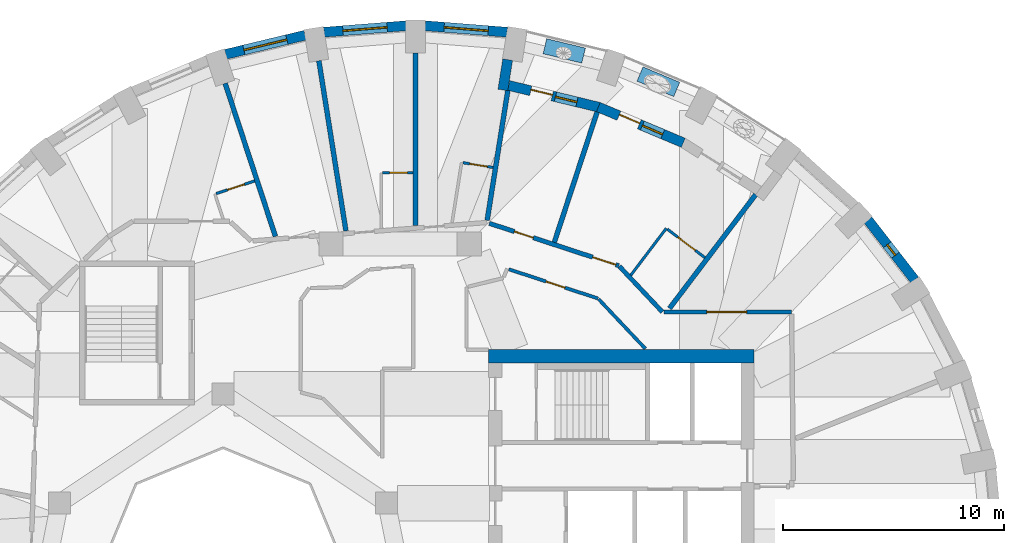
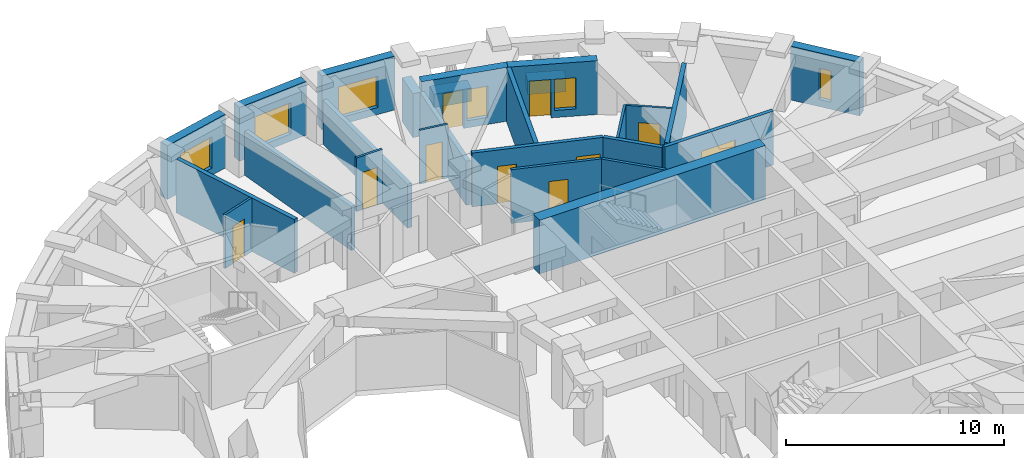
# One storey, part 8 of 12: 26 walls, 10 doors, 6 windows, 16 openings.
"""IFC4 building model written with IfcOpenShell, lengths in metres."""

from ifc_helpers import new_model, si_unit, direction, frame, frame_2d, origin, place, context, subcontext, project, spatial, rectangle, extrude, material, layer, layer_set, constituent, constituent_set, type_object, element, fill, save


model = new_model("IFC4")

# Units and contexts
model_context = context("Model", 3, precision=1e-05, world=origin(), true_north=direction((0.0, 1.0)))
body_context = subcontext(model_context, "Body", "Model", "MODEL_VIEW")
ifc_project = project(units=[si_unit("LENGTHUNIT", "METRE"), si_unit("AREAUNIT", "SQUARE_METRE"), si_unit("VOLUMEUNIT", "CUBIC_METRE"), si_unit("PLANEANGLEUNIT", "RADIAN"), si_unit("MASSUNIT", "GRAM", prefix="KILO")], contexts=[model_context])

# Site, building, storey
site_placement = place(None, origin())
site = spatial("IfcSite", under=ifc_project, at=site_placement, CompositionType="ELEMENT")
building_placement = place(site_placement, origin())
building = spatial("IfcBuilding", under=site, at=building_placement, Name="Taillehof Tower", CompositionType="ELEMENT")
storey_placement = place(building_placement, frame((0.0, 0.0, 192.5)))
storey = spatial("IfcBuildingStorey", under=building, at=storey_placement, Name="L54", CompositionType="ELEMENT", Elevation=192.5)

# Wall, opening, window
ifc_material_1 = material(Name="Brick masonry", Category="masonry")
ifc_layer_1 = layer(ifc_material_1, 0.449951171875)
ifc_layer_set_1 = layer_set([ifc_layer_1], Name="Brick infill wall 450")
wall_type_1 = type_object("IfcWallType", Name="Brick infill wall 450", PredefinedType="SOLIDWALL", material=ifc_layer_set_1)
wall_1_placement = place(storey_placement, frame((23.262939453125, 13.148193359375, 0.0), z_axis=(0.0, 0.0, 1.0), x_axis=(-0.614220816451, 0.789134201919, 0.0)))
wall_1 = element("IfcWall", 1, at=wall_1_placement, inside=storey, type_object=wall_type_1, Name="Brick wall L54 bay 4", PredefinedType="SOLIDWALL", context=body_context, shape_type="SweptSolid", body=[
    extrude(rectangle(XDim=3.437744140625, YDim=0.449951171875, at=frame_2d((1.71875, 0.0))), origin(), (0.0, 0.0, 1.0), 3.02001953125),
])
opening_1_placement = place(wall_1_placement, frame((1.4189453125, 0.0, 0.39990234375)))
opening_1 = element("IfcOpeningElement", 2, at=opening_1_placement, cuts=wall_1, Name="Opening W6", PredefinedType="OPENING", context=body_context, shape_type="SweptSolid", body=[
    extrude(rectangle(XDim=0.60009765625, YDim=1.75, at=frame_2d((0.300048828125, 0.875))), frame((0.0, 0.23486328125, 0.0), z_axis=(0.0, -1.0, 0.0), x_axis=(1.0, 0.0, 0.0)), (0.0, 0.0, 1.0), 0.469970703125),
])
ifc_material_2 = material(Name="Aluminium window frame with clear double glazing", Category="aluminium")
window_type_1 = type_object("IfcWindowType", Name="Slot window 600x1750", PartitioningType="SINGLE_PANEL", PredefinedType="WINDOW", material=ifc_material_2)
window_1_placement = place(opening_1_placement, origin())
window_1 = element("IfcWindow", 3, at=window_1_placement, inside=storey, type_object=window_type_1, Name="W6", OverallHeight=1.75, OverallWidth=0.60009765625, PartitioningType="SINGLE_PANEL", PredefinedType="WINDOW", context=body_context, shape_type="SweptSolid", body=[
    extrude(rectangle(XDim=0.60009765625, YDim=1.75, at=frame_2d((0.300048828125, 0.875))), frame((0.0, 0.034912109375, 0.0), z_axis=(0.0, -1.0, 0.0), x_axis=(1.0, 0.0, 0.0)), (0.0, 0.0, 1.0), 0.06005859375),
])
fill(opening_1, window_1)

wall_2_placement = place(storey_placement, frame((4.841064453125, 24.348388671875, 0.0), z_axis=(0.0, 0.0, 1.0), x_axis=(-0.996918697878, 0.078441760701, 0.0)))
wall_2 = element("IfcWall", 4, at=wall_2_placement, inside=storey, type_object=wall_type_1, Name="Brick wall L54 bay 9", PredefinedType="SOLIDWALL", context=body_context, shape_type="SweptSolid", body=[
    extrude(rectangle(XDim=3.722412109375, YDim=0.449951171875, at=frame_2d((1.861328125, 0.0))), origin(), (0.0, 0.0, 1.0), 3.02001953125),
])
opening_2_placement = place(wall_2_placement, frame((0.861328125, 0.0, 0.39990234375)))
opening_2 = element("IfcOpeningElement", 5, at=opening_2_placement, cuts=wall_2, Name="Opening W2", PredefinedType="OPENING", context=body_context, shape_type="SweptSolid", body=[
    extrude(rectangle(XDim=2.0, YDim=1.75, at=frame_2d((1.0, 0.875))), frame((0.0, 0.23486328125, 0.0), z_axis=(0.0, -1.0, 0.0), x_axis=(1.0, 0.0, 0.0)), (0.0, 0.0, 1.0), 0.469970703125),
])
ifc_material_3 = material(Name="Aluminium window frame with clear double glazing", Category="aluminium")
window_type_2 = type_object("IfcWindowType", Name="Deep-set window 2000x1750", PartitioningType="SINGLE_PANEL", PredefinedType="WINDOW", material=ifc_material_3)
window_2_placement = place(opening_2_placement, origin())
window_2 = element("IfcWindow", 6, at=window_2_placement, inside=storey, type_object=window_type_2, Name="W2", OverallHeight=1.75, OverallWidth=2.0, PartitioningType="SINGLE_PANEL", PredefinedType="WINDOW", context=body_context, shape_type="SweptSolid", body=[
    extrude(rectangle(XDim=2.0, YDim=1.75, at=frame_2d((1.0, 0.875))), frame((0.0, 0.034912109375, 0.0), z_axis=(0.0, -1.0, 0.0), x_axis=(1.0, 0.0, 0.0)), (0.0, 0.0, 1.0), 0.06005859375),
])
fill(opening_2, window_2)

wall_3_placement = place(storey_placement, frame((0.27001953125, 24.640380859375, 0.0), z_axis=(0.0, 0.0, 1.0), x_axis=(-0.996919101401, -0.078436632148, 0.0)))
wall_3 = element("IfcWall", 7, at=wall_3_placement, inside=storey, type_object=wall_type_1, Name="Brick wall L54 bay 10", PredefinedType="SOLIDWALL", context=body_context, shape_type="SweptSolid", body=[
    extrude(rectangle(XDim=3.72265625, YDim=0.449951171875, at=frame_2d((1.861328125, 0.0))), origin(), (0.0, 0.0, 1.0), 3.02001953125),
])
opening_3_placement = place(wall_3_placement, frame((0.861328125, 0.0, 0.39990234375)))
opening_3 = element("IfcOpeningElement", 8, at=opening_3_placement, cuts=wall_3, Name="Opening W2", PredefinedType="OPENING", context=body_context, shape_type="SweptSolid", body=[
    extrude(rectangle(XDim=2.0, YDim=1.75, at=frame_2d((1.0, 0.875))), frame((0.0, 0.23486328125, 0.0), z_axis=(0.0, -1.0, 0.0), x_axis=(1.0, 0.0, 0.0)), (0.0, 0.0, 1.0), 0.469970703125),
])
window_3_placement = place(opening_3_placement, origin())
window_3 = element("IfcWindow", 9, at=window_3_placement, inside=storey, type_object=window_type_2, Name="W2", OverallHeight=1.75, OverallWidth=2.0, PartitioningType="SINGLE_PANEL", PredefinedType="WINDOW", context=body_context, shape_type="SweptSolid", body=[
    extrude(rectangle(XDim=2.0, YDim=1.75, at=frame_2d((1.0, 0.875))), frame((0.0, 0.034912109375, 0.0), z_axis=(0.0, -1.0, 0.0), x_axis=(1.0, 0.0, 0.0)), (0.0, 0.0, 1.0), 0.06005859375),
])
fill(opening_3, window_3)

wall_4_placement = place(storey_placement, frame((-4.29052734375, 24.21337890625, 0.0), z_axis=(0.0, 0.0, 1.0), x_axis=(-0.972173533246, -0.234261864708, 0.0)))
wall_4 = element("IfcWall", 10, at=wall_4_placement, inside=storey, type_object=wall_type_1, Name="Brick wall L54 bay 11", PredefinedType="SOLIDWALL", context=body_context, shape_type="SweptSolid", body=[
    extrude(rectangle(XDim=3.697509765625, YDim=0.449951171875, at=frame_2d((1.8486328125, 0.0))), origin(), (0.0, 0.0, 1.0), 3.02001953125),
])
opening_4_placement = place(wall_4_placement, frame((0.848876953125, 0.0, 0.39990234375)))
opening_4 = element("IfcOpeningElement", 11, at=opening_4_placement, cuts=wall_4, Name="Opening W2", PredefinedType="OPENING", context=body_context, shape_type="SweptSolid", body=[
    extrude(rectangle(XDim=2.0, YDim=1.75, at=frame_2d((1.0, 0.875))), frame((0.0, 0.23486328125, 0.0), z_axis=(0.0, -1.0, 0.0), x_axis=(1.0, 0.0, 0.0)), (0.0, 0.0, 1.0), 0.469970703125),
])
window_4_placement = place(opening_4_placement, origin())
window_4 = element("IfcWindow", 12, at=window_4_placement, inside=storey, type_object=window_type_2, Name="W2", OverallHeight=1.75, OverallWidth=2.0, PartitioningType="SINGLE_PANEL", PredefinedType="WINDOW", context=body_context, shape_type="SweptSolid", body=[
    extrude(rectangle(XDim=2.0, YDim=1.75, at=frame_2d((1.0, 0.875))), frame((0.0, 0.034912109375, 0.0), z_axis=(0.0, -1.0, 0.0), x_axis=(1.0, 0.0, 0.0)), (0.0, 0.0, 1.0), 0.06005859375),
])
fill(opening_4, window_4)

# Wall
wall_5_placement = place(storey_placement, frame((4.8642578125, 23.109130859375, 0.0), z_axis=(0.0, 0.0, 1.0), x_axis=(-0.157017718735, -0.987595785736, 0.0)))
element("IfcWall", 13, at=wall_5_placement, inside=storey, type_object=wall_type_1, Name="Brick reveal L54 pocket 1", PredefinedType="SOLIDWALL", context=body_context, shape_type="SweptSolid", body=[
    extrude(rectangle(XDim=1.39013671875, YDim=0.449951171875, at=frame_2d((0.695068359375, 0.0))), origin(), (0.0, 0.0, 1.0), 2.469970703125),
])

# Wall, openings, door, window
wall_6_placement = place(storey_placement, frame((12.803955078125, 19.3486328125, 0.0), z_axis=(0.0, 0.0, 1.0), x_axis=(-0.921751093055, 0.387782055351, 0.0)))
wall_6 = element("IfcWall", 14, at=wall_6_placement, inside=storey, type_object=wall_type_1, Name="Brick wall L54 pocket bay 7", PredefinedType="SOLIDWALL", context=body_context, shape_type="SweptSolid", body=[
    extrude(rectangle(XDim=4.16845703125, YDim=0.449951171875, at=frame_2d((2.084228515625, 0.0))), origin(), (0.0, 0.0, 1.0), 3.02001953125),
])
opening_5_placement = place(wall_6_placement, frame((1.00927734375, 0.0, 0.39990234375)))
opening_5 = element("IfcOpeningElement", 15, at=opening_5_placement, cuts=wall_6, Name="Opening W5", PredefinedType="OPENING", context=body_context, shape_type="SweptSolid", body=[
    extrude(rectangle(XDim=1.0, YDim=1.75, at=frame_2d((0.5, 0.875))), frame((0.0, 0.23486328125, 0.0), z_axis=(0.0, -1.0, 0.0), x_axis=(1.0, 0.0, 0.0)), (0.0, 0.0, 1.0), 0.469970703125),
])
opening_6_placement = place(wall_6_placement, frame((2.1591796875, 0.0, 0.0)))
opening_6 = element("IfcOpeningElement", 16, at=opening_6_placement, cuts=wall_6, Name="Opening D5492", PredefinedType="OPENING", context=body_context, shape_type="SweptSolid", body=[
    extrude(rectangle(XDim=1.0, YDim=2.14990234375, at=frame_2d((0.5, 1.074951171875))), frame((0.0, 0.23486328125, 0.0), z_axis=(0.0, -1.0, 0.0), x_axis=(1.0, 0.0, 0.0)), (0.0, 0.0, 1.0), 0.469970703125),
])
ifc_material_4 = material(Name="Aluminium door frame with clear double glazing", Category="aluminium")
door_type_1 = type_object("IfcDoorType", Name="Balcony door 1000x2150", OperationType="SINGLE_SWING_RIGHT", PredefinedType="DOOR", material=ifc_material_4)
door_1_placement = place(opening_6_placement, frame((1.0, 0.0, 0.0), z_axis=(0.0, 0.0, 1.0), x_axis=(-1.0, 0.0, 0.0)))
door_1 = element("IfcDoor", 17, at=door_1_placement, inside=storey, type_object=door_type_1, Name="Balcony door L54 bay 7", OperationType="SINGLE_SWING_LEFT", OverallHeight=2.14990234375, OverallWidth=1.0, PredefinedType="DOOR", context=body_context, shape_type="SweptSolid", body=[
    extrude(rectangle(XDim=1.0, YDim=2.14990234375, at=frame_2d((0.5, 1.074951171875))), frame((0.0, 0.0751953125, 0.0), z_axis=(0.0, -1.0, 0.0), x_axis=(1.0, 0.0, 0.0)), (0.0, 0.0, 1.0), 0.050048828125),
])
fill(opening_6, door_1)
ifc_material_5 = material(Name="Aluminium window frame with clear double glazing", Category="aluminium")
window_type_3 = type_object("IfcWindowType", Name="Fixed window 1000x1750", PartitioningType="SINGLE_PANEL", PredefinedType="WINDOW", material=ifc_material_5)
window_5_placement = place(opening_5_placement, origin())
window_5 = element("IfcWindow", 18, at=window_5_placement, inside=storey, type_object=window_type_3, Name="W5", OverallHeight=1.75, OverallWidth=1.0, PartitioningType="SINGLE_PANEL", PredefinedType="WINDOW", context=body_context, shape_type="SweptSolid", body=[
    extrude(rectangle(XDim=1.0, YDim=1.75, at=frame_2d((0.5, 0.875))), frame((0.0, 0.034912109375, 0.0), z_axis=(0.0, -1.0, 0.0), x_axis=(1.0, 0.0, 0.0)), (0.0, 0.0, 1.0), 0.06005859375),
])
fill(opening_5, window_5)

wall_7_placement = place(storey_placement, frame((8.99609375, 20.95361328125, 0.0), z_axis=(0.0, 0.0, 1.0), x_axis=(-0.971994057868, 0.235005428593, 0.0)))
wall_7 = element("IfcWall", 19, at=wall_7_placement, inside=storey, type_object=wall_type_1, Name="Brick wall L54 pocket bay 8", PredefinedType="SOLIDWALL", context=body_context, shape_type="SweptSolid", body=[
    extrude(rectangle(XDim=4.20751953125, YDim=0.449951171875, at=frame_2d((2.103759765625, 0.0))), origin(), (0.0, 0.0, 1.0), 3.02001953125),
])
opening_7_placement = place(wall_7_placement, frame((1.028564453125, 0.0, 0.39990234375)))
opening_7 = element("IfcOpeningElement", 20, at=opening_7_placement, cuts=wall_7, Name="Opening W5", PredefinedType="OPENING", context=body_context, shape_type="SweptSolid", body=[
    extrude(rectangle(XDim=1.0, YDim=1.75, at=frame_2d((0.5, 0.875))), frame((0.0, 0.23486328125, 0.0), z_axis=(0.0, -1.0, 0.0), x_axis=(1.0, 0.0, 0.0)), (0.0, 0.0, 1.0), 0.469970703125),
])
opening_8_placement = place(wall_7_placement, frame((2.1787109375, 0.0, 0.0)))
opening_8 = element("IfcOpeningElement", 21, at=opening_8_placement, cuts=wall_7, Name="Opening D5493", PredefinedType="OPENING", context=body_context, shape_type="SweptSolid", body=[
    extrude(rectangle(XDim=1.0, YDim=2.14990234375, at=frame_2d((0.5, 1.074951171875))), frame((0.0, 0.23486328125, 0.0), z_axis=(0.0, -1.0, 0.0), x_axis=(1.0, 0.0, 0.0)), (0.0, 0.0, 1.0), 0.469970703125),
])
door_2_placement = place(opening_8_placement, frame((1.0, 0.0, 0.0), z_axis=(0.0, 0.0, 1.0), x_axis=(-1.0, 0.0, 0.0)))
door_2 = element("IfcDoor", 22, at=door_2_placement, inside=storey, type_object=door_type_1, Name="Balcony door L54 bay 8", OperationType="SINGLE_SWING_LEFT", OverallHeight=2.14990234375, OverallWidth=1.0, PredefinedType="DOOR", context=body_context, shape_type="SweptSolid", body=[
    extrude(rectangle(XDim=1.0, YDim=2.14990234375, at=frame_2d((0.5, 1.074951171875))), frame((0.0, 0.0751953125, 0.0), z_axis=(0.0, -1.0, 0.0), x_axis=(1.0, 0.0, 0.0)), (0.0, 0.0, 1.0), 0.050048828125),
])
fill(opening_8, door_2)
window_6_placement = place(opening_7_placement, origin())
window_6 = element("IfcWindow", 23, at=window_6_placement, inside=storey, type_object=window_type_3, Name="W5", OverallHeight=1.75, OverallWidth=1.0, PartitioningType="SINGLE_PANEL", PredefinedType="WINDOW", context=body_context, shape_type="SweptSolid", body=[
    extrude(rectangle(XDim=1.0, YDim=1.75, at=frame_2d((0.5, 0.875))), frame((0.0, 0.034912109375, 0.0), z_axis=(0.0, -1.0, 0.0), x_axis=(1.0, 0.0, 0.0)), (0.0, 0.0, 1.0), 0.06005859375),
])
fill(opening_7, window_6)

# Wall, openings, doors
ifc_material_6 = material(Name="Gypsum board on steel studs, two layers each side", Category="steel")
ifc_layer_2 = layer(ifc_material_6, 0.199951171875)
ifc_layer_set_2 = layer_set([ifc_layer_2], Name="Compartment wall corridor 200")
wall_type_2 = type_object("IfcWallType", Name="Compartment wall corridor 200", PredefinedType="PARTITIONING", material=ifc_layer_set_2)
wall_8_placement = place(storey_placement, frame((4.034912109375, 15.708251953125, 0.0), z_axis=(0.0, 0.0, 1.0), x_axis=(0.950331063317, -0.31124085544, 0.0)))
wall_8 = element("IfcWall", 24, at=wall_8_placement, inside=storey, type_object=wall_type_2, Name="Compartment wall", PredefinedType="PARTITIONING", context=body_context, shape_type="SweptSolid", body=[
    extrude(rectangle(XDim=6.1591796875, YDim=0.199951171875, at=frame_2d((3.07958984375, 0.0))), origin(), (0.0, 0.0, 1.0), 3.02001953125),
])
opening_9_placement = place(wall_8_placement, frame((4.919189453125, 0.0, 0.0)))
opening_9 = element("IfcOpeningElement", 25, at=opening_9_placement, cuts=wall_8, Name="Opening D5440", PredefinedType="OPENING", context=body_context, shape_type="SweptSolid", body=[
    extrude(rectangle(XDim=1.10009765625, YDim=2.10009765625, at=frame_2d((0.550048828125, 1.050048828125))), frame((0.0, 0.10986328125, 0.0), z_axis=(0.0, -1.0, 0.0), x_axis=(1.0, 0.0, 0.0)), (0.0, 0.0, 1.0), 0.219970703125),
])
opening_10_placement = place(wall_8_placement, frame((1.189453125, 0.0, 0.0)))
opening_10 = element("IfcOpeningElement", 26, at=opening_10_placement, cuts=wall_8, Name="Opening D5442", PredefinedType="OPENING", context=body_context, shape_type="SweptSolid", body=[
    extrude(rectangle(XDim=0.89990234375, YDim=2.10009765625, at=frame_2d((0.449951171875, 1.050048828125))), frame((0.0, 0.10986328125, 0.0), z_axis=(0.0, -1.0, 0.0), x_axis=(1.0, 0.0, 0.0)), (0.0, 0.0, 1.0), 0.219970703125),
])
ifc_material_7 = material(Name="Timber door leaf in steel frame", Category="steel")
door_type_2 = type_object("IfcDoorType", Name="Accessible guest room door EI 30 1100 x 2100", OperationType="SINGLE_SWING_LEFT", PredefinedType="DOOR", material=ifc_material_7)
door_3_placement = place(opening_9_placement, origin())
door_3 = element("IfcDoor", 27, at=door_3_placement, inside=storey, type_object=door_type_2, Name="D5440", OperationType="SINGLE_SWING_LEFT", OverallHeight=2.10009765625, OverallWidth=1.10009765625, PredefinedType="DOOR", context=body_context, shape_type="SweptSolid", body=[
    extrude(rectangle(XDim=1.10009765625, YDim=2.10009765625, at=frame_2d((0.550048828125, 1.050048828125))), frame((0.0, 0.02490234375, 0.0), z_axis=(0.0, -1.0, 0.0), x_axis=(1.0, 0.0, 0.0)), (0.0, 0.0, 1.0), 0.050048828125),
])
fill(opening_9, door_3)
ifc_material_8 = material(Name="Timber door leaf in steel frame", Category="steel")
door_type_3 = type_object("IfcDoorType", Name="Service room door EI 30 900 x 2100", OperationType="SINGLE_SWING_LEFT", PredefinedType="DOOR", material=ifc_material_8)
door_4_placement = place(opening_10_placement, origin())
door_4 = element("IfcDoor", 28, at=door_4_placement, inside=storey, type_object=door_type_3, Name="D5442", OperationType="SINGLE_SWING_RIGHT", OverallHeight=2.10009765625, OverallWidth=0.89990234375, PredefinedType="DOOR", context=body_context, shape_type="SweptSolid", body=[
    extrude(rectangle(XDim=0.89990234375, YDim=2.10009765625, at=frame_2d((0.449951171875, 1.050048828125))), frame((0.0, 0.02490234375, 0.0), z_axis=(0.0, -1.0, 0.0), x_axis=(1.0, 0.0, 0.0)), (0.0, 0.0, 1.0), 0.050048828125),
])
fill(opening_10, door_4)

# Wall
wall_9_placement = place(storey_placement, frame((9.91552734375, 13.761962890625, 0.0), z_axis=(0.0, 0.0, 1.0), x_axis=(0.686041532799, -0.727562378958, 0.0)))
element("IfcWall", 29, at=wall_9_placement, inside=storey, type_object=wall_type_2, Name="Compartment wall", PredefinedType="PARTITIONING", context=body_context, shape_type="SweptSolid", body=[
    extrude(rectangle(XDim=2.834228515625, YDim=0.199951171875, at=frame_2d((1.4169921875, 0.0))), origin(), (0.0, 0.0, 1.0), 3.02001953125),
])

# Wall, opening, door
wall_10_placement = place(storey_placement, frame((11.93994140625, 11.699951171875, 0.0), z_axis=(0.0, 0.0, 1.0), x_axis=(1.0, 0.0, 0.0)))
wall_10 = element("IfcWall", 30, at=wall_10_placement, inside=storey, type_object=wall_type_2, Name="Compartment wall", PredefinedType="PARTITIONING", context=body_context, shape_type="SweptSolid", body=[
    extrude(rectangle(XDim=5.760009765625, YDim=0.199951171875, at=frame_2d((2.8798828125, 0.0))), origin(), (0.0, 0.0, 1.0), 3.02001953125),
])
opening_11_placement = place(wall_10_placement, frame((1.926513671875, 0.0, 0.0)))
opening_11 = element("IfcOpeningElement", 31, at=opening_11_placement, cuts=wall_10, Name="Opening D5470", PredefinedType="OPENING", context=body_context, shape_type="SweptSolid", body=[
    extrude(rectangle(XDim=1.800048828125, YDim=2.10009765625, at=frame_2d((0.89990234375, 1.050048828125))), frame((0.0, 0.10986328125, 0.0), z_axis=(0.0, -1.0, 0.0), x_axis=(1.0, 0.0, 0.0)), (0.0, 0.0, 1.0), 0.219970703125),
])
ifc_material_9 = material(Name="Timber door leaf in steel frame", Category="steel")
door_type_4 = type_object("IfcDoorType", Name="Lounge and meeting room double door EI 30 1800 x 2100", OperationType="SINGLE_SWING_LEFT", PredefinedType="DOOR", material=ifc_material_9)
door_5_placement = place(opening_11_placement, origin())
door_5 = element("IfcDoor", 32, at=door_5_placement, inside=storey, type_object=door_type_4, Name="D5470", OperationType="DOUBLE_DOOR_SINGLE_SWING", OverallHeight=2.10009765625, OverallWidth=1.800048828125, PredefinedType="DOOR", context=body_context, shape_type="SweptSolid", body=[
    extrude(rectangle(XDim=1.800048828125, YDim=2.10009765625, at=frame_2d((0.89990234375, 1.050048828125))), frame((0.0, 0.02490234375, 0.0), z_axis=(0.0, -1.0, 0.0), x_axis=(1.0, 0.0, 0.0)), (0.0, 0.0, 1.0), 0.050048828125),
])
fill(opening_11, door_5)

# Walls
ifc_material_10 = material(Name="Gypsum board on double steel studs with mineral wool", Category="steel")
ifc_layer_3 = layer(ifc_material_10, 0.219970703125)
ifc_layer_set_3 = layer_set([ifc_layer_3], Name="Compartment wall guest room 220")
wall_type_3 = type_object("IfcWallType", Name="Compartment wall guest room 220", PredefinedType="PARTITIONING", material=ifc_layer_set_3)
wall_11_placement = place(storey_placement, frame((16.076904296875, 17.011474609375, 0.0), z_axis=(0.0, 0.0, 1.0), x_axis=(-0.603635635975, -0.797260320712, 0.0)))
element("IfcWall", 33, at=wall_11_placement, inside=storey, type_object=wall_type_3, Name="Compartment wall", PredefinedType="PARTITIONING", context=body_context, shape_type="SweptSolid", body=[
    extrude(rectangle(XDim=6.45703125, YDim=0.219970703125, at=frame_2d((3.228515625, 0.0))), origin(), (0.0, 0.0, 1.0), 3.02001953125),
])
wall_12_placement = place(storey_placement, frame((8.907958984375, 20.743408203125, 0.0), z_axis=(0.0, 0.0, 1.0), x_axis=(-0.311984764468, -0.950087104817, 0.0)))
element("IfcWall", 34, at=wall_12_placement, inside=storey, type_object=wall_type_3, Name="Compartment wall", PredefinedType="PARTITIONING", context=body_context, shape_type="SweptSolid", body=[
    extrude(rectangle(XDim=6.20166015625, YDim=0.219970703125, at=frame_2d((3.100830078125, 0.0))), origin(), (0.0, 0.0, 1.0), 3.02001953125),
])
wall_13_placement = place(storey_placement, frame((4.87109375, 21.719482421875, 0.0), z_axis=(0.0, 0.0, 1.0), x_axis=(-0.157106861106, -0.987581608878, 0.0)))
element("IfcWall", 35, at=wall_13_placement, inside=storey, type_object=wall_type_3, Name="Compartment wall", PredefinedType="PARTITIONING", context=body_context, shape_type="SweptSolid", body=[
    extrude(rectangle(XDim=5.94873046875, YDim=0.219970703125, at=frame_2d((2.974365234375, 0.0))), origin(), (0.0, 0.0, 1.0), 2.469970703125),
])
wall_14_placement = place(storey_placement, frame((0.699951171875, 23.39990234375, 0.0), z_axis=(0.0, 0.0, 1.0), x_axis=(0.0, -1.0, 0.0)))
element("IfcWall", 36, at=wall_14_placement, inside=storey, type_object=wall_type_3, Name="Compartment wall", PredefinedType="PARTITIONING", context=body_context, shape_type="SweptSolid", body=[
    extrude(rectangle(XDim=7.78662109375, YDim=0.219970703125, at=frame_2d((3.893310546875, 0.0))), origin(), (0.0, 0.0, 1.0), 2.469970703125),
])
wall_15_placement = place(storey_placement, frame((-3.6708984375, 23.05615234375, 0.0), z_axis=(0.0, 0.0, 1.0), x_axis=(0.157087942897, -0.987584618246, 0.0)))
element("IfcWall", 37, at=wall_15_placement, inside=storey, type_object=wall_type_3, Name="Compartment wall", PredefinedType="PARTITIONING", context=body_context, shape_type="SweptSolid", body=[
    extrude(rectangle(XDim=7.786376953125, YDim=0.219970703125, at=frame_2d((3.89306640625, 0.0))), origin(), (0.0, 0.0, 1.0), 2.469970703125),
])
wall_16_placement = place(storey_placement, frame((-7.9072265625, 22.035400390625, 0.0), z_axis=(0.0, 0.0, 1.0), x_axis=(0.311980831408, -0.950088396326, 0.0)))
element("IfcWall", 38, at=wall_16_placement, inside=storey, type_object=wall_type_3, Name="Compartment wall", PredefinedType="PARTITIONING", context=body_context, shape_type="SweptSolid", body=[
    extrude(rectangle(XDim=7.283203125, YDim=0.219970703125, at=frame_2d((3.6416015625, 0.0))), origin(), (0.0, 0.0, 1.0), 3.02001953125),
])

# Wall, opening, door
ifc_material_11 = material(Name="Gypsum board on steel studs, two layers each side", Category="steel")
ifc_layer_4 = layer(ifc_material_11, 0.14990234375)
ifc_layer_set_4 = layer_set([ifc_layer_4], Name="Compartment wall service room 150")
wall_type_4 = type_object("IfcWallType", Name="Compartment wall service room 150", PredefinedType="PARTITIONING", material=ifc_layer_set_4)
wall_17_placement = place(storey_placement, frame((4.917236328125, 13.631103515625, 0.0), z_axis=(0.0, 0.0, 1.0), x_axis=(0.950299632499, -0.311336808733, 0.0)))
wall_17 = element("IfcWall", 39, at=wall_17_placement, inside=storey, type_object=wall_type_4, Name="Compartment wall", PredefinedType="PARTITIONING", context=body_context, shape_type="SweptSolid", body=[
    extrude(rectangle(XDim=4.241455078125, YDim=0.14990234375, at=frame_2d((2.12060546875, 0.0))), origin(), (0.0, 0.0, 1.0), 3.02001953125),
])
opening_12_placement = place(wall_17_placement, frame((1.77294921875, 0.0, 0.0)))
opening_12 = element("IfcOpeningElement", 40, at=opening_12_placement, cuts=wall_17, Name="Opening D5471", PredefinedType="OPENING", context=body_context, shape_type="SweptSolid", body=[
    extrude(rectangle(XDim=0.89990234375, YDim=2.10009765625, at=frame_2d((0.449951171875, 1.050048828125))), frame((0.0, 0.0849609375, 0.0), z_axis=(0.0, -1.0, 0.0), x_axis=(1.0, 0.0, 0.0)), (0.0, 0.0, 1.0), 0.169921875),
])
door_6_placement = place(opening_12_placement, origin())
door_6 = element("IfcDoor", 41, at=door_6_placement, inside=storey, type_object=door_type_3, Name="D5471", OperationType="SINGLE_SWING_LEFT", OverallHeight=2.10009765625, OverallWidth=0.89990234375, PredefinedType="DOOR", context=body_context, shape_type="SweptSolid", body=[
    extrude(rectangle(XDim=0.89990234375, YDim=2.10009765625, at=frame_2d((0.449951171875, 1.050048828125))), frame((0.0, 0.02490234375, 0.0), z_axis=(0.0, -1.0, 0.0), x_axis=(1.0, 0.0, 0.0)), (0.0, 0.0, 1.0), 0.050048828125),
])
fill(opening_12, door_6)

# Walls
wall_18_placement = place(storey_placement, frame((8.975341796875, 12.28125, 0.0), z_axis=(0.0, 0.0, 1.0), x_axis=(0.686010468192, -0.727591669503, 0.0)))
element("IfcWall", 42, at=wall_18_placement, inside=storey, type_object=wall_type_4, Name="Compartment wall", PredefinedType="PARTITIONING", context=body_context, shape_type="SweptSolid", body=[
    extrude(rectangle(XDim=3.07666015625, YDim=0.14990234375, at=frame_2d((1.538330078125, 0.0))), origin(), (0.0, 0.0, 1.0), 3.02001953125),
])
ifc_material_12 = material(Name="Concrete C80/95", Category="concrete")
ifc_layer_5 = layer(ifc_material_12, 0.60009765625)
ifc_layer_set_5 = layer_set([ifc_layer_5], Name="Core wall C80/95 600")
wall_type_5 = type_object("IfcWallType", Name="Core wall C80/95 600", PredefinedType="SHEAR", material=ifc_layer_set_5)
wall_19_placement = place(storey_placement, frame((4.0, 9.699951171875, 0.0), z_axis=(0.0, 0.0, 1.0), x_axis=(1.0, 0.0, 0.0)))
element("IfcWall", 43, at=wall_19_placement, inside=storey, type_object=wall_type_5, Name="Core wall CW06", PredefinedType="SHEAR", context=body_context, shape_type="SweptSolid", body=[
    extrude(rectangle(XDim=12.0, YDim=0.60009765625, at=frame_2d((6.0, 0.0))), origin(), (0.0, 0.0, 1.0), 3.02001953125),
])
ifc_material_13 = material(Name="Gypsum board on steel studs, moisture resistant", Category="steel")
ifc_layer_6 = layer(ifc_material_13, 0.1201171875)
ifc_layer_set_6 = layer_set([ifc_layer_6], Name="En-suite wall 120")
wall_type_6 = type_object("IfcWallType", Name="En-suite wall 120", PredefinedType="PARTITIONING", material=ifc_layer_set_6)
wall_20_placement = place(storey_placement, frame((10.4296875, 13.36279296875, 0.0), z_axis=(0.0, 0.0, 1.0), x_axis=(0.603597479969, 0.797289208616, 0.0)))
element("IfcWall", 44, at=wall_20_placement, inside=storey, type_object=wall_type_6, Name="En-suite wall", PredefinedType="PARTITIONING", context=body_context, shape_type="SweptSolid", body=[
    extrude(rectangle(XDim=2.65576171875, YDim=0.1201171875, at=frame_2d((1.327880859375, 0.0))), origin(), (0.0, 0.0, 1.0), 3.02001953125),
])

# Wall, opening, door
wall_21_placement = place(storey_placement, frame((12.08056640625, 15.444091796875, 0.0), z_axis=(0.0, 0.0, 1.0), x_axis=(0.797240905551, -0.603661277967, 0.0)))
wall_21 = element("IfcWall", 45, at=wall_21_placement, inside=storey, type_object=wall_type_6, Name="En-suite wall", PredefinedType="PARTITIONING", context=body_context, shape_type="SweptSolid", body=[
    extrude(rectangle(XDim=2.130126953125, YDim=0.1201171875, at=frame_2d((1.06494140625, 0.0))), origin(), (0.0, 0.0, 1.0), 3.02001953125),
])
opening_13_placement = place(wall_21_placement, frame((0.590087890625, 0.0, 0.0)))
opening_13 = element("IfcOpeningElement", 46, at=opening_13_placement, cuts=wall_21, Name="Opening D5441", PredefinedType="OPENING", context=body_context, shape_type="SweptSolid", body=[
    extrude(rectangle(XDim=1.0, YDim=2.10009765625, at=frame_2d((0.5, 1.050048828125))), frame((0.0, 0.070068359375, 0.0), z_axis=(0.0, -1.0, 0.0), x_axis=(1.0, 0.0, 0.0)), (0.0, 0.0, 1.0), 0.14013671875),
])
ifc_material_14 = material(Name="Timber door leaf in steel frame", Category="steel")
door_type_5 = type_object("IfcDoorType", Name="Accessible en-suite door 1000 x 2100", OperationType="SINGLE_SWING_LEFT", PredefinedType="DOOR", material=ifc_material_14)
door_7_placement = place(opening_13_placement, origin())
door_7 = element("IfcDoor", 47, at=door_7_placement, inside=storey, type_object=door_type_5, Name="D5441", OperationType="SINGLE_SWING_RIGHT", OverallHeight=2.10009765625, OverallWidth=1.0, PredefinedType="DOOR", context=body_context, shape_type="SweptSolid", body=[
    extrude(rectangle(XDim=1.0, YDim=2.10009765625, at=frame_2d((0.5, 1.050048828125))), frame((0.0, 0.02490234375, 0.0), z_axis=(0.0, -1.0, 0.0), x_axis=(1.0, 0.0, 0.0)), (0.0, 0.0, 1.0), 0.050048828125),
])
fill(opening_13, door_7)

wall_22_placement = place(storey_placement, frame((2.842041015625, 18.448974609375, 0.0), z_axis=(0.0, 0.0, 1.0), x_axis=(0.98758155412, -0.157107205313, 0.0)))
wall_22 = element("IfcWall", 48, at=wall_22_placement, inside=storey, type_object=wall_type_6, Name="En-suite wall", PredefinedType="PARTITIONING", context=body_context, shape_type="SweptSolid", body=[
    extrude(rectangle(XDim=1.3798828125, YDim=0.1201171875, at=frame_2d((0.68994140625, 0.0))), origin(), (0.0, 0.0, 1.0), 3.02001953125),
])
opening_14_placement = place(wall_22_placement, frame((0.31494140625, 0.0, 0.0)))
opening_14 = element("IfcOpeningElement", 49, at=opening_14_placement, cuts=wall_22, Name="Opening D5444", PredefinedType="OPENING", context=body_context, shape_type="SweptSolid", body=[
    extrude(rectangle(XDim=0.800048828125, YDim=2.10009765625, at=frame_2d((0.39990234375, 1.050048828125))), frame((0.0, 0.070068359375, 0.0), z_axis=(0.0, -1.0, 0.0), x_axis=(1.0, 0.0, 0.0)), (0.0, 0.0, 1.0), 0.14013671875),
])
ifc_material_15 = material(Name="Timber door leaf in steel frame", Category="steel")
door_type_6 = type_object("IfcDoorType", Name="En-suite door 800 x 2100", OperationType="SINGLE_SWING_LEFT", PredefinedType="DOOR", material=ifc_material_15)
door_8_placement = place(opening_14_placement, origin())
door_8 = element("IfcDoor", 50, at=door_8_placement, inside=storey, type_object=door_type_6, Name="D5444", OperationType="SINGLE_SWING_LEFT", OverallHeight=2.10009765625, OverallWidth=0.800048828125, PredefinedType="DOOR", context=body_context, shape_type="SweptSolid", body=[
    extrude(rectangle(XDim=0.800048828125, YDim=2.10009765625, at=frame_2d((0.39990234375, 1.050048828125))), frame((0.0, 0.02490234375, 0.0), z_axis=(0.0, -1.0, 0.0), x_axis=(1.0, 0.0, 0.0)), (0.0, 0.0, 1.0), 0.050048828125),
])
fill(opening_14, door_8)

wall_23_placement = place(storey_placement, frame((-0.7900390625, 17.9931640625, 0.0), z_axis=(0.0, 0.0, 1.0), x_axis=(1.0, 0.0, 0.0)))
wall_23 = element("IfcWall", 51, at=wall_23_placement, inside=storey, type_object=wall_type_6, Name="En-suite wall", PredefinedType="PARTITIONING", context=body_context, shape_type="SweptSolid", body=[
    extrude(rectangle(XDim=1.3798828125, YDim=0.1201171875, at=frame_2d((0.68994140625, 0.0))), origin(), (0.0, 0.0, 1.0), 3.02001953125),
])
opening_15_placement = place(wall_23_placement, frame((0.31494140625, 0.0, 0.0)))
opening_15 = element("IfcOpeningElement", 52, at=opening_15_placement, cuts=wall_23, Name="Opening D5446", PredefinedType="OPENING", context=body_context, shape_type="SweptSolid", body=[
    extrude(rectangle(XDim=0.800048828125, YDim=2.10009765625, at=frame_2d((0.39990234375, 1.050048828125))), frame((0.0, 0.070068359375, 0.0), z_axis=(0.0, -1.0, 0.0), x_axis=(1.0, 0.0, 0.0)), (0.0, 0.0, 1.0), 0.14013671875),
])
door_9_placement = place(opening_15_placement, origin())
door_9 = element("IfcDoor", 53, at=door_9_placement, inside=storey, type_object=door_type_6, Name="D5446", OperationType="SINGLE_SWING_RIGHT", OverallHeight=2.10009765625, OverallWidth=0.800048828125, PredefinedType="DOOR", context=body_context, shape_type="SweptSolid", body=[
    extrude(rectangle(XDim=0.800048828125, YDim=2.10009765625, at=frame_2d((0.39990234375, 1.050048828125))), frame((0.0, 0.02490234375, 0.0), z_axis=(0.0, -1.0, 0.0), x_axis=(1.0, 0.0, 0.0)), (0.0, 0.0, 1.0), 0.050048828125),
])
fill(opening_15, door_9)

wall_24_placement = place(storey_placement, frame((-8.313232421875, 17.053955078125, 0.0), z_axis=(0.0, 0.0, 1.0), x_axis=(0.950153758954, 0.311781709446, 0.0)))
wall_24 = element("IfcWall", 54, at=wall_24_placement, inside=storey, type_object=wall_type_6, Name="En-suite wall", PredefinedType="PARTITIONING", context=body_context, shape_type="SweptSolid", body=[
    extrude(rectangle(XDim=1.830078125, YDim=0.1201171875, at=frame_2d((0.9150390625, 0.0))), origin(), (0.0, 0.0, 1.0), 3.02001953125),
])
opening_16_placement = place(wall_24_placement, frame((0.5400390625, 0.0, 0.0)))
opening_16 = element("IfcOpeningElement", 55, at=opening_16_placement, cuts=wall_24, Name="Opening D5449", PredefinedType="OPENING", context=body_context, shape_type="SweptSolid", body=[
    extrude(rectangle(XDim=0.800048828125, YDim=2.10009765625, at=frame_2d((0.39990234375, 1.050048828125))), frame((0.0, 0.070068359375, 0.0), z_axis=(0.0, -1.0, 0.0), x_axis=(1.0, 0.0, 0.0)), (0.0, 0.0, 1.0), 0.14013671875),
])
door_10_placement = place(opening_16_placement, origin())
door_10 = element("IfcDoor", 56, at=door_10_placement, inside=storey, type_object=door_type_6, Name="D5449", OperationType="SINGLE_SWING_RIGHT", OverallHeight=2.10009765625, OverallWidth=0.800048828125, PredefinedType="DOOR", context=body_context, shape_type="SweptSolid", body=[
    extrude(rectangle(XDim=0.800048828125, YDim=2.10009765625, at=frame_2d((0.39990234375, 1.050048828125))), frame((0.0, 0.02490234375, 0.0), z_axis=(0.0, -1.0, 0.0), x_axis=(1.0, 0.0, 0.0)), (0.0, 0.0, 1.0), 0.050048828125),
])
fill(opening_16, door_10)

# Walls
ifc_material_16 = material(Name="Concrete C30/37 precast", Category="concrete")
ifc_constituent_1 = constituent(ifc_material_16, Name="Structure", Category="concrete")
ifc_material_17 = material(Name="Insulated lining")
ifc_constituent_2 = constituent(ifc_material_17, Name="Lining")
ifc_constituent_set = constituent_set(constituents=[ifc_constituent_1, ifc_constituent_2], Name="Planter trough 700x750")
wall_type_7 = type_object("IfcWallType", Name="Planter trough 700x750", PredefinedType="USERDEFINED", material=ifc_constituent_set)
for number, where, z_axis, x_axis, name in (
    (57, (12.505859375, 21.761962890625, 0.0), (0.0, 0.0, 1.0), (-0.922155368213, 0.386819695564, 0.0), "Planter L54 bay 7"),
    (58, (8.29638671875, 23.292236328125, 0.0), (0.0, 0.0, 1.0), (-0.97215043642, 0.234357694494, 0.0), "Planter L54 bay 8"),
):
    element("IfcWall", number, at=place(storey_placement, frame(where, z_axis=z_axis, x_axis=x_axis)), inside=storey, type_object=wall_type_7, Name=name, ObjectType="PLANTER", PredefinedType="USERDEFINED", context=body_context, shape_type="SweptSolid", body=[
        extrude(rectangle(XDim=1.800048828125, YDim=0.699951171875, at=frame_2d((0.89990234375, 0.0))), origin(), (0.0, 0.0, 1.0), 0.75),
    ])

save(model, "model.ifc")
